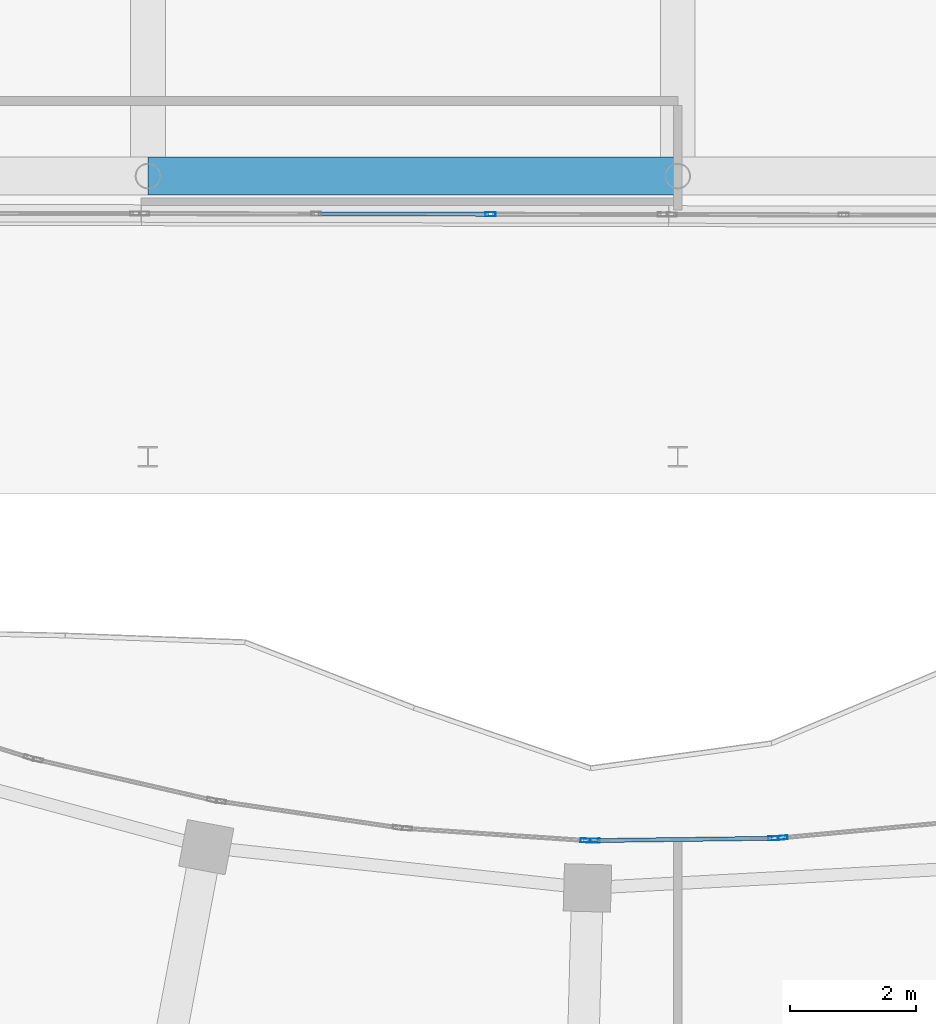
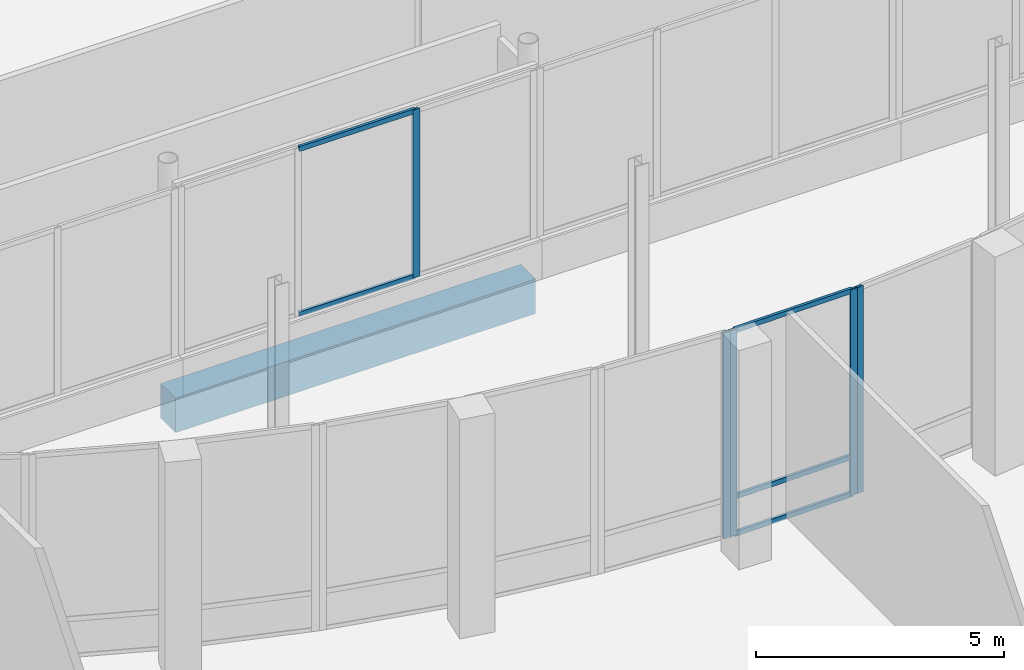
# One storey, part 37 of 158: 10 members, 1 beam, 4 elements without a shape of their own.
"""IFC4 building model written with IfcOpenShell, lengths in metres."""

from ifc_helpers import new_model, si_unit, direction, frame, origin, origin_2d, place, context, subcontext, project, spatial, rectangle, hollow_rectangle, extrude, material, material_profile, profile_set, type_object, element, aggregate, save


model = new_model("IFC4")

# Units and contexts
model_context = context("Model", 3, precision=1e-05, world=origin(), true_north=direction((0.0, 1.0)))
body_context = subcontext(model_context, "Body", "Model", "MODEL_VIEW")
ifc_project = project(units=[si_unit("LENGTHUNIT", "METRE"), si_unit("AREAUNIT", "SQUARE_METRE"), si_unit("VOLUMEUNIT", "CUBIC_METRE"), si_unit("PLANEANGLEUNIT", "RADIAN"), si_unit("MASSUNIT", "GRAM", prefix="KILO")], contexts=[model_context])

# Site, building, storey
site_placement = place(None, origin())
site = spatial("IfcSite", under=ifc_project, at=site_placement, CompositionType="ELEMENT")
building_placement = place(site_placement, origin())
building = spatial("IfcBuilding", under=site, at=building_placement, Name="Selatvlak General Hospital", CompositionType="ELEMENT")
storey_placement = place(building_placement, origin())
storey = spatial("IfcBuildingStorey", under=building, at=storey_placement, Name="L00", CompositionType="ELEMENT", Elevation=0.0)

# Beam
ifc_material_1 = material(Name="Concrete C40/50", Category="concrete")
ifc_material_profile_1 = material_profile(ifc_material_1, rectangle(XDim=0.60009765625, YDim=0.85009765625, at=origin_2d()), Name="RC-BM 600x850")
ifc_profile_set_1 = profile_set([ifc_material_profile_1], Name="Concrete C40/50")
beam_type = type_object("IfcBeamType", Name="BM-G01", PredefinedType="BEAM", material=ifc_profile_set_1)
beam_placement = place(storey_placement, frame((48.0, 52.550048828125, -0.77490234375), z_axis=(1.0, 0.0, 0.0), x_axis=(0.0, 1.0, 0.0)))
element("IfcBeam", 1, at=beam_placement, inside=storey, type_object=beam_type, Name="Beam BMR-L00-0006", PredefinedType="BEAM", context=body_context, shape_type="SweptSolid", body=[
    extrude(rectangle(XDim=0.60009765625, YDim=0.85009765625, at=origin_2d()), origin(), (0.0, 0.0, 1.0), 8.39990234375),
])

# Curtain wall, member
ifc_material_2 = material(Name="Solar-control Low-E double glazing", Category="glass")
curtain_wall_type_1 = type_object("IfcCurtainWallType", Name="CW-CW-02", PredefinedType="USERDEFINED", material=ifc_material_2)
curtain_wall_1_placement = place(storey_placement, origin())
curtain_wall_1 = element("IfcCurtainWall", 2, at=curtain_wall_1_placement, inside=storey, type_object=curtain_wall_type_1, Name="Glazed facade curtain wall CW-L00-0076", ObjectType="UNITISED CURTAIN WALL", PredefinedType="USERDEFINED")
ifc_material_3 = material(Name="Dark anodised aluminium mullion", Category="aluminium")
ifc_material_profile_2 = material_profile(ifc_material_3, hollow_rectangle(XDim=0.06494140625, YDim=0.159912109375, WallThickness=0.00390625, at=origin_2d()), Name="AL-MUL 65x160x4")
ifc_profile_set_2 = profile_set([ifc_material_profile_2], Name="Dark anodised aluminium mullion")
member_type_1 = type_object("IfcMemberType", Name="CWM-01", PredefinedType="MULLION", material=ifc_profile_set_2)
member_1_placement = place(storey_placement, frame((54.9384765625, 42.01611328125, 0.0), z_axis=(0.0, 0.0, 1.0), x_axis=(0.067182127799, 0.997740728699, 0.0)))
member_1 = element("IfcMember", 3, at=member_1_placement, type_object=member_type_1, Name="CW-02 mullion 2", PredefinedType="MULLION", context=body_context, shape_type="SweptSolid", body=[
    extrude(hollow_rectangle(XDim=0.06494140625, YDim=0.159912109375, WallThickness=0.00390625, at=origin_2d()), origin(), (0.0, 0.0, 1.0), 5.080078125),
])
aggregate(curtain_wall_1, [member_1])

# Curtain wall, members
curtain_wall_type_2 = type_object("IfcCurtainWallType", Name="CW-CW-01", PredefinedType="USERDEFINED", material=ifc_material_2)
curtain_wall_2_placement = place(storey_placement, origin())
curtain_wall_2 = element("IfcCurtainWall", 4, at=curtain_wall_2_placement, inside=storey, type_object=curtain_wall_type_2, Name="Glazed facade curtain wall CW-L00-0077", ObjectType="UNITISED CURTAIN WALL", PredefinedType="USERDEFINED")
member_2_placement = place(storey_placement, frame((55.08349609375, 42.014404296875, 0.0), z_axis=(0.0, 0.0, 1.0), x_axis=(-0.012761982337, 0.999918562587, 0.0)))
member_2 = element("IfcMember", 5, at=member_2_placement, type_object=member_type_1, Name="CW-01 mullion 1", PredefinedType="MULLION", context=body_context, shape_type="SweptSolid", body=[
    extrude(hollow_rectangle(XDim=0.06494140625, YDim=0.159912109375, WallThickness=0.00390625, at=origin_2d()), origin(), (0.0, 0.0, 1.0), 5.080078125),
])
member_3_placement = place(storey_placement, frame((57.91748046875, 42.050537109375, 0.0), z_axis=(0.0, 0.0, 1.0), x_axis=(-0.012761982337, 0.999918562587, 0.0)))
member_3 = element("IfcMember", 6, at=member_3_placement, type_object=member_type_1, Name="CW-01 mullion 2", PredefinedType="MULLION", context=body_context, shape_type="SweptSolid", body=[
    extrude(hollow_rectangle(XDim=0.06494140625, YDim=0.159912109375, WallThickness=0.00390625, at=origin_2d()), origin(), (0.0, 0.0, 1.0), 5.080078125),
])

# Curtain wall, member
curtain_wall_3_placement = place(storey_placement, origin())
curtain_wall_3 = element("IfcCurtainWall", 7, at=curtain_wall_3_placement, inside=storey, type_object=curtain_wall_type_1, Name="Glazed facade curtain wall CW-L00-0078", ObjectType="UNITISED CURTAIN WALL", PredefinedType="USERDEFINED")
member_4_placement = place(storey_placement, frame((58.062255859375, 42.06005859375, 0.0), z_axis=(0.0, 0.0, 1.0), x_axis=(-0.092369074668, 0.99572483852, 0.0)))
member_4 = element("IfcMember", 8, at=member_4_placement, type_object=member_type_1, Name="CW-02 mullion 1", PredefinedType="MULLION", context=body_context, shape_type="SweptSolid", body=[
    extrude(hollow_rectangle(XDim=0.06494140625, YDim=0.159912109375, WallThickness=0.00390625, at=origin_2d()), origin(), (0.0, 0.0, 1.0), 5.080078125),
])
aggregate(curtain_wall_3, [member_4])

curtain_wall_4_placement = place(storey_placement, origin())
curtain_wall_4 = element("IfcCurtainWall", 9, at=curtain_wall_4_placement, inside=storey, type_object=curtain_wall_type_2, Name="Glazed facade curtain wall CW-L00-0090", ObjectType="UNITISED CURTAIN WALL", PredefinedType="USERDEFINED")
member_5_placement = place(storey_placement, frame((53.4306640625, 51.945068359375, 0.93994140625), z_axis=(0.0, 0.0, 1.0), x_axis=(-0.001811372463, -0.999998359464, 0.0)))
member_5 = element("IfcMember", 10, at=member_5_placement, type_object=member_type_1, Name="CW-01 mullion 2", PredefinedType="MULLION", context=body_context, shape_type="SweptSolid", body=[
    extrude(hollow_rectangle(XDim=0.06494140625, YDim=0.159912109375, WallThickness=0.00390625, at=origin_2d()), origin(), (0.0, 0.0, 1.0), 4.14013671875),
])

# Member
ifc_material_profile_3 = material_profile(ifc_material_3, hollow_rectangle(XDim=0.06494140625, YDim=0.1201171875, WallThickness=0.00390625, at=origin_2d()), Name="AL-TRN 65x120x4")
ifc_profile_set_3 = profile_set([ifc_material_profile_3], Name="Dark anodised aluminium mullion")
member_type_2 = type_object("IfcMemberType", Name="CWT-01", PredefinedType="USERDEFINED", material=ifc_profile_set_3)
member_6_placement = place(storey_placement, frame((55.115966796875, 42.014892578125, 0.032470703125), z_axis=(0.999919413331, 0.012695150372, 0.0), x_axis=(-0.012695150372, 0.999919413331, 0.0)))
member_6 = element("IfcMember", 11, at=member_6_placement, type_object=member_type_2, Name="CW-01 transom 1.1", ObjectType="TRANSOM", PredefinedType="USERDEFINED", context=body_context, shape_type="SweptSolid", body=[
    extrude(hollow_rectangle(XDim=0.06494140625, YDim=0.1201171875, WallThickness=0.00390625, at=origin_2d()), origin(), (0.0, 0.0, 1.0), 2.769287109375),
])

member_7_placement = place(storey_placement, frame((55.115966796875, 42.014892578125, 0.949951171875), z_axis=(0.999919413331, 0.012695150372, 0.0), x_axis=(-0.012695150372, 0.999919413331, 0.0)))
member_7 = element("IfcMember", 12, at=member_7_placement, type_object=member_type_2, Name="CW-01 transom 1.2", ObjectType="TRANSOM", PredefinedType="USERDEFINED", context=body_context, shape_type="SweptSolid", body=[
    extrude(hollow_rectangle(XDim=0.06494140625, YDim=0.1201171875, WallThickness=0.00390625, at=origin_2d()), origin(), (0.0, 0.0, 1.0), 2.769287109375),
])

member_8_placement = place(storey_placement, frame((55.115966796875, 42.014892578125, 5.047607421875), z_axis=(0.999919413331, 0.012695150372, 0.0), x_axis=(-0.012695150372, 0.999919413331, 0.0)))
member_8 = element("IfcMember", 13, at=member_8_placement, type_object=member_type_2, Name="CW-01 transom 1.3", ObjectType="TRANSOM", PredefinedType="USERDEFINED", context=body_context, shape_type="SweptSolid", body=[
    extrude(hollow_rectangle(XDim=0.06494140625, YDim=0.1201171875, WallThickness=0.00390625, at=origin_2d()), origin(), (0.0, 0.0, 1.0), 2.769287109375),
])

aggregate(curtain_wall_2, [member_2, member_3, member_6, member_7, member_8])

member_9_placement = place(storey_placement, frame((53.398193359375, 51.945068359375, 0.972412109375), z_axis=(-0.999998359067, 0.00181159123, 0.0), x_axis=(-0.00181159123, -0.999998359067, 0.0)))
member_9 = element("IfcMember", 14, at=member_9_placement, type_object=member_type_2, Name="CW-01 transom 2.1", ObjectType="TRANSOM", PredefinedType="USERDEFINED", context=body_context, shape_type="SweptSolid", body=[
    extrude(hollow_rectangle(XDim=0.06494140625, YDim=0.1201171875, WallThickness=0.00390625, at=origin_2d()), origin(), (0.0, 0.0, 1.0), 2.6953125),
])

member_10_placement = place(storey_placement, frame((53.398193359375, 51.945068359375, 5.047607421875), z_axis=(-0.999998359067, 0.00181159123, 0.0), x_axis=(-0.00181159123, -0.999998359067, 0.0)))
member_10 = element("IfcMember", 15, at=member_10_placement, type_object=member_type_2, Name="CW-01 transom 2.2", ObjectType="TRANSOM", PredefinedType="USERDEFINED", context=body_context, shape_type="SweptSolid", body=[
    extrude(hollow_rectangle(XDim=0.06494140625, YDim=0.1201171875, WallThickness=0.00390625, at=origin_2d()), origin(), (0.0, 0.0, 1.0), 2.6953125),
])

aggregate(curtain_wall_4, [member_5, member_9, member_10])

save(model, "model.ifc")
